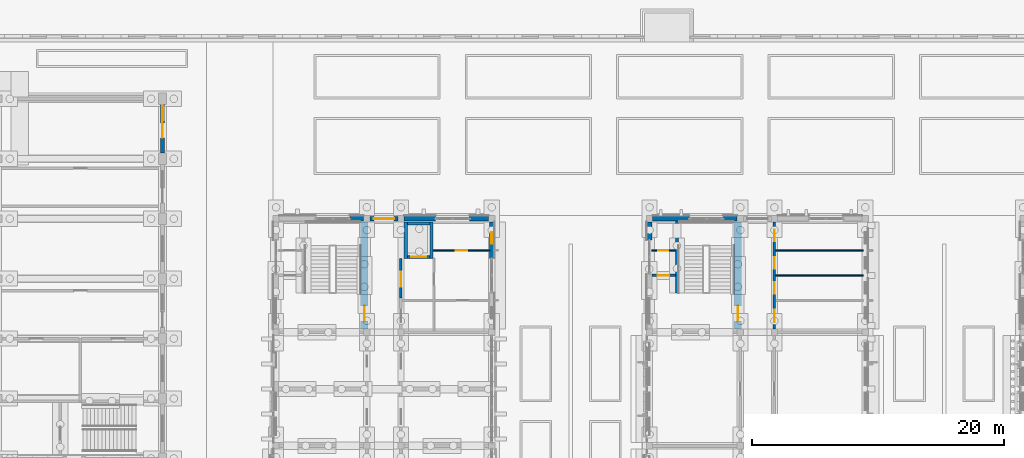
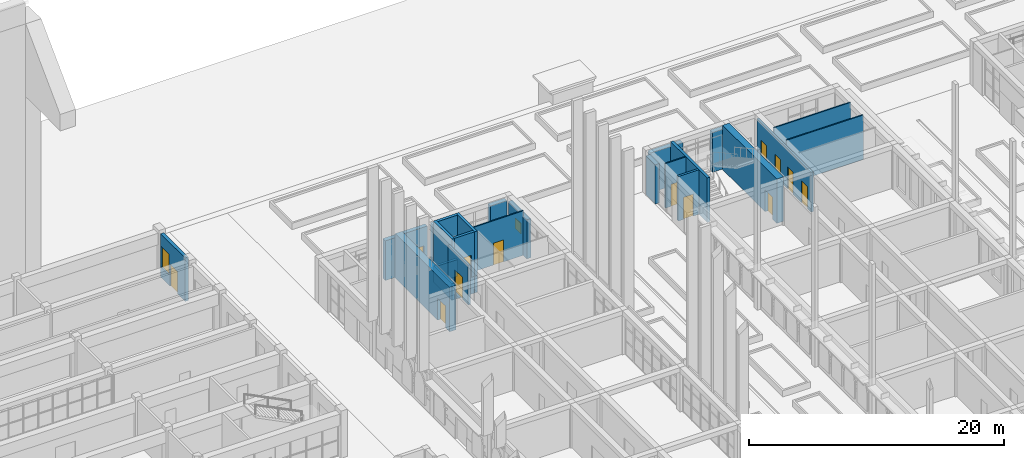
# One storey, part 66 of 161: 27 walls, 13 doors, 2 windows, 15 openings.
"""IFC4 building model written with IfcOpenShell, lengths in metres."""

from ifc_helpers import new_model, si_unit, direction, frame, frame_2d, origin, place, context, subcontext, project, spatial, rectangle, extrude, material, layer, layer_set, type_object, element, fill, save


model = new_model("IFC4")

# Units and contexts
model_context = context("Model", 3, precision=1e-05, world=origin(), true_north=direction((0.0, 1.0)))
body_context = subcontext(model_context, "Body", "Model", "MODEL_VIEW")
ifc_project = project(units=[si_unit("LENGTHUNIT", "METRE"), si_unit("AREAUNIT", "SQUARE_METRE"), si_unit("VOLUMEUNIT", "CUBIC_METRE"), si_unit("PLANEANGLEUNIT", "RADIAN"), si_unit("MASSUNIT", "GRAM", prefix="KILO")], contexts=[model_context])

# Site, building, storey
site_placement = place(None, origin())
site = spatial("IfcSite", under=ifc_project, at=site_placement, CompositionType="ELEMENT")
building_placement = place(site_placement, origin())
building = spatial("IfcBuilding", under=site, at=building_placement, Name="Elbe Cascade School", CompositionType="ELEMENT")
storey_placement = place(building_placement, origin())
storey = spatial("IfcBuildingStorey", under=building, at=storey_placement, Name="L00", CompositionType="ELEMENT", Elevation=0.0)

# Wall, opening, door
ifc_material_1 = material(Name="Masonry - lime-sand block, plastered", Category="masonry")
ifc_layer_1 = layer(ifc_material_1, 0.199951171875)
ifc_layer_set_1 = layer_set([ifc_layer_1], Name="Masonry - lime-sand block, plastered")
wall_type_1 = type_object("IfcWallType", Name="Bar corridor wall lime-sand block 200 EI 30", PredefinedType="PARTITIONING", material=ifc_layer_set_1)
wall_1_placement = place(storey_placement, frame((78.89990234375, 56.85009765625, 0.0), z_axis=(0.0, 0.0, 1.0), x_axis=(0.0, -1.0, 0.0)))
wall_1 = element("IfcWall", 1, at=wall_1_placement, inside=storey, type_object=wall_type_1, Name="Bar corridor wall lime-sand block 200 EI 30", PredefinedType="PARTITIONING", context=body_context, shape_type="SweptSolid", body=[
    extrude(rectangle(XDim=3.150146484375, YDim=0.199951171875, at=frame_2d((1.5751953125, 0.0))), origin(), (0.0, 0.0, 1.0), 3.800048828125),
])
opening_1_placement = place(wall_1_placement, frame((1.050048828125, 0.0, 0.0)))
opening_1 = element("IfcOpeningElement", 2, at=opening_1_placement, cuts=wall_1, Name="Opening D0.029", PredefinedType="OPENING", context=body_context, shape_type="SweptSolid", body=[
    extrude(rectangle(XDim=1.199951171875, YDim=2.10009765625, at=frame_2d((0.60009765625, 1.050048828125))), frame((0.0, 0.10986328125, 0.0), z_axis=(0.0, -1.0, 0.0), x_axis=(1.0, 0.0, 0.0)), (0.0, 0.0, 1.0), 0.219970703125),
])
ifc_material_2 = material(Name="Timber door leaf, fire-resisting and smoke-tight, steel frame", Category="steel")
door_type_1 = type_object("IfcDoorType", Name="Bar door FD30S 1200x2100", OperationType="NOTDEFINED", PredefinedType="DOOR", material=ifc_material_2)
door_1_placement = place(opening_1_placement, origin())
door_1 = element("IfcDoor", 3, at=door_1_placement, inside=storey, type_object=door_type_1, Name="Door A0.15", OperationType="SINGLE_SWING_LEFT", OverallHeight=2.10009765625, OverallWidth=1.199951171875, PredefinedType="DOOR", context=body_context, shape_type="SweptSolid", body=[
    extrude(rectangle(XDim=1.199951171875, YDim=2.10009765625, at=frame_2d((0.60009765625, 1.050048828125))), frame((0.0, 0.02490234375, 0.0), z_axis=(0.0, -1.0, 0.0), x_axis=(1.0, 0.0, 0.0)), (0.0, 0.0, 1.0), 0.050048828125),
])
fill(opening_1, door_1)

# Wall, openings, doors
wall_2_placement = place(storey_placement, frame((108.5, 59.75, 0.0), z_axis=(0.0, 0.0, 1.0), x_axis=(0.0, -1.0, 0.0)))
wall_2 = element("IfcWall", 4, at=wall_2_placement, inside=storey, type_object=wall_type_1, Name="Bar corridor wall lime-sand block 200 EI 30", PredefinedType="PARTITIONING", context=body_context, shape_type="SweptSolid", body=[
    extrude(rectangle(XDim=8.5, YDim=0.199951171875, at=frame_2d((4.25, 0.0))), origin(), (0.0, 0.0, 1.0), 3.800048828125),
])
opening_2_placement = place(wall_2_placement, frame((6.96875, 0.0, 0.0)))
opening_2 = element("IfcOpeningElement", 5, at=opening_2_placement, cuts=wall_2, Name="Opening D0.057", PredefinedType="OPENING", context=body_context, shape_type="SweptSolid", body=[
    extrude(rectangle(XDim=1.0, YDim=2.10009765625, at=frame_2d((0.5, 1.050048828125))), frame((0.0, 0.10986328125, 0.0), z_axis=(0.0, -1.0, 0.0), x_axis=(1.0, 0.0, 0.0)), (0.0, 0.0, 1.0), 0.219970703125),
])
opening_3_placement = place(wall_2_placement, frame((4.7900390625, 0.0, 0.0)))
opening_3 = element("IfcOpeningElement", 6, at=opening_3_placement, cuts=wall_2, Name="Opening D0.060", PredefinedType="OPENING", context=body_context, shape_type="SweptSolid", body=[
    extrude(rectangle(XDim=0.89990234375, YDim=2.10009765625, at=frame_2d((0.449951171875, 1.050048828125))), frame((0.0, 0.10986328125, 0.0), z_axis=(0.0, -1.0, 0.0), x_axis=(1.0, 0.0, 0.0)), (0.0, 0.0, 1.0), 0.219970703125),
])
opening_4_placement = place(wall_2_placement, frame((2.81005859375, 0.0, 0.0)))
opening_4 = element("IfcOpeningElement", 7, at=opening_4_placement, cuts=wall_2, Name="Opening D0.062", PredefinedType="OPENING", context=body_context, shape_type="SweptSolid", body=[
    extrude(rectangle(XDim=0.89990234375, YDim=2.10009765625, at=frame_2d((0.449951171875, 1.050048828125))), frame((0.0, 0.10986328125, 0.0), z_axis=(0.0, -1.0, 0.0), x_axis=(1.0, 0.0, 0.0)), (0.0, 0.0, 1.0), 0.219970703125),
])
opening_5_placement = place(wall_2_placement, frame((0.62109375, 0.0, 0.0)))
opening_5 = element("IfcOpeningElement", 8, at=opening_5_placement, cuts=wall_2, Name="Opening D0.064", PredefinedType="OPENING", context=body_context, shape_type="SweptSolid", body=[
    extrude(rectangle(XDim=0.89990234375, YDim=2.10009765625, at=frame_2d((0.449951171875, 1.050048828125))), frame((0.0, 0.10986328125, 0.0), z_axis=(0.0, -1.0, 0.0), x_axis=(1.0, 0.0, 0.0)), (0.0, 0.0, 1.0), 0.219970703125),
])
ifc_material_3 = material(Name="Timber door leaf, fire-resisting, steel frame", Category="steel")
door_type_2 = type_object("IfcDoorType", Name="Bar door FD30 1000x2100", OperationType="NOTDEFINED", PredefinedType="DOOR", material=ifc_material_3)
door_2_placement = place(opening_2_placement, origin())
door_2 = element("IfcDoor", 9, at=door_2_placement, inside=storey, type_object=door_type_2, Name="Door B0.18", OperationType="SINGLE_SWING_LEFT", OverallHeight=2.10009765625, OverallWidth=1.0, PredefinedType="DOOR", context=body_context, shape_type="SweptSolid", body=[
    extrude(rectangle(XDim=1.0, YDim=2.10009765625, at=frame_2d((0.5, 1.050048828125))), frame((0.0, 0.02490234375, 0.0), z_axis=(0.0, -1.0, 0.0), x_axis=(1.0, 0.0, 0.0)), (0.0, 0.0, 1.0), 0.050048828125),
])
fill(opening_2, door_2)
ifc_material_4 = material(Name="Timber door leaf, fire-resisting, steel frame", Category="steel")
door_type_3 = type_object("IfcDoorType", Name="Bar door FD30 900x2100", OperationType="NOTDEFINED", PredefinedType="DOOR", material=ifc_material_4)
door_3_placement = place(opening_3_placement, origin())
door_3 = element("IfcDoor", 10, at=door_3_placement, inside=storey, type_object=door_type_3, Name="Door B0.17", OperationType="SINGLE_SWING_RIGHT", OverallHeight=2.10009765625, OverallWidth=0.89990234375, PredefinedType="DOOR", context=body_context, shape_type="SweptSolid", body=[
    extrude(rectangle(XDim=0.89990234375, YDim=2.10009765625, at=frame_2d((0.449951171875, 1.050048828125))), frame((0.0, 0.02490234375, 0.0), z_axis=(0.0, -1.0, 0.0), x_axis=(1.0, 0.0, 0.0)), (0.0, 0.0, 1.0), 0.050048828125),
])
fill(opening_3, door_3)
door_4_placement = place(opening_4_placement, origin())
door_4 = element("IfcDoor", 11, at=door_4_placement, inside=storey, type_object=door_type_3, Name="Door B0.16", OperationType="SINGLE_SWING_LEFT", OverallHeight=2.10009765625, OverallWidth=0.89990234375, PredefinedType="DOOR", context=body_context, shape_type="SweptSolid", body=[
    extrude(rectangle(XDim=0.89990234375, YDim=2.10009765625, at=frame_2d((0.449951171875, 1.050048828125))), frame((0.0, 0.02490234375, 0.0), z_axis=(0.0, -1.0, 0.0), x_axis=(1.0, 0.0, 0.0)), (0.0, 0.0, 1.0), 0.050048828125),
])
fill(opening_4, door_4)
door_5_placement = place(opening_5_placement, origin())
door_5 = element("IfcDoor", 12, at=door_5_placement, inside=storey, type_object=door_type_3, Name="Door B0.15", OperationType="SINGLE_SWING_RIGHT", OverallHeight=2.10009765625, OverallWidth=0.89990234375, PredefinedType="DOOR", context=body_context, shape_type="SweptSolid", body=[
    extrude(rectangle(XDim=0.89990234375, YDim=2.10009765625, at=frame_2d((0.449951171875, 1.050048828125))), frame((0.0, 0.02490234375, 0.0), z_axis=(0.0, -1.0, 0.0), x_axis=(1.0, 0.0, 0.0)), (0.0, 0.0, 1.0), 0.050048828125),
])
fill(opening_5, door_5)

# Wall, opening, door
ifc_material_5 = material(Name="Masonry - lime-sand block, plastered", Category="masonry")
ifc_layer_2 = layer(ifc_material_5, 0.114990234375)
ifc_layer_set_2 = layer_set([ifc_layer_2], Name="Masonry - lime-sand block, plastered")
wall_type_2 = type_object("IfcWallType", Name="Bar light partition wall lime-sand block 115", PredefinedType="PARTITIONING", material=ifc_layer_set_2)
wall_3_placement = place(storey_placement, frame((81.449951171875, 57.47998046875, 0.0), z_axis=(0.0, 0.0, 1.0), x_axis=(1.0, 0.0, 0.0)))
wall_3 = element("IfcWall", 13, at=wall_3_placement, inside=storey, type_object=wall_type_2, Name="Bar light partition wall lime-sand block 115", PredefinedType="PARTITIONING", context=body_context, shape_type="SweptSolid", body=[
    extrude(rectangle(XDim=4.5, YDim=0.114990234375, at=frame_2d((2.25, 0.0))), origin(), (0.0, 0.0, 1.0), 4.25),
])
opening_6_placement = place(wall_3_placement, frame((1.800048828125, 0.0, 0.0)))
opening_6 = element("IfcOpeningElement", 14, at=opening_6_placement, cuts=wall_3, Name="Opening D0.034", PredefinedType="OPENING", context=body_context, shape_type="SweptSolid", body=[
    extrude(rectangle(XDim=0.89990234375, YDim=2.10009765625, at=frame_2d((0.449951171875, 1.050048828125))), frame((0.0, 0.0673828125, 0.0), z_axis=(0.0, -1.0, 0.0), x_axis=(1.0, 0.0, 0.0)), (0.0, 0.0, 1.0), 0.135009765625),
])
ifc_material_6 = material(Name="Timber door leaf, steel frame", Category="steel")
door_type_4 = type_object("IfcDoorType", Name="Bar door 900x2100", OperationType="NOTDEFINED", PredefinedType="DOOR", material=ifc_material_6)
door_6_placement = place(opening_6_placement, origin())
door_6 = element("IfcDoor", 15, at=door_6_placement, inside=storey, type_object=door_type_4, Name="Door A0.17", OperationType="SINGLE_SWING_LEFT", OverallHeight=2.10009765625, OverallWidth=0.89990234375, PredefinedType="DOOR", context=body_context, shape_type="SweptSolid", body=[
    extrude(rectangle(XDim=0.89990234375, YDim=2.10009765625, at=frame_2d((0.449951171875, 1.050048828125))), frame((0.0, 0.02490234375, 0.0), z_axis=(0.0, -1.0, 0.0), x_axis=(1.0, 0.0, 0.0)), (0.0, 0.0, 1.0), 0.050048828125),
])
fill(opening_6, door_6)

wall_4_placement = place(storey_placement, frame((98.780029296875, 57.47998046875, 0.0), z_axis=(0.0, 0.0, 1.0), x_axis=(1.0, 0.0, 0.0)))
wall_4 = element("IfcWall", 16, at=wall_4_placement, inside=storey, type_object=wall_type_2, Name="Bar light partition wall lime-sand block 115", PredefinedType="PARTITIONING", context=body_context, shape_type="SweptSolid", body=[
    extrude(rectangle(XDim=1.869873046875, YDim=0.114990234375, at=frame_2d((0.93505859375, 0.0))), origin(), (0.0, 0.0, 1.0), 4.25),
])
opening_7_placement = place(wall_4_placement, frame((0.52001953125, 0.0, 0.0)))
opening_7 = element("IfcOpeningElement", 17, at=opening_7_placement, cuts=wall_4, Name="Opening D0.063", PredefinedType="OPENING", context=body_context, shape_type="SweptSolid", body=[
    extrude(rectangle(XDim=0.800048828125, YDim=2.10009765625, at=frame_2d((0.39990234375, 1.050048828125))), frame((0.0, 0.0673828125, 0.0), z_axis=(0.0, -1.0, 0.0), x_axis=(1.0, 0.0, 0.0)), (0.0, 0.0, 1.0), 0.135009765625),
])
ifc_material_7 = material(Name="Timber door leaf, steel frame", Category="steel")
door_type_5 = type_object("IfcDoorType", Name="Bar door 800x2100", OperationType="NOTDEFINED", PredefinedType="DOOR", material=ifc_material_7)
door_7_placement = place(opening_7_placement, origin())
door_7 = element("IfcDoor", 18, at=door_7_placement, inside=storey, type_object=door_type_5, Name="Door B0.14", OperationType="SINGLE_SWING_LEFT", OverallHeight=2.10009765625, OverallWidth=0.800048828125, PredefinedType="DOOR", context=body_context, shape_type="SweptSolid", body=[
    extrude(rectangle(XDim=0.800048828125, YDim=2.10009765625, at=frame_2d((0.39990234375, 1.050048828125))), frame((0.0, 0.02490234375, 0.0), z_axis=(0.0, -1.0, 0.0), x_axis=(1.0, 0.0, 0.0)), (0.0, 0.0, 1.0), 0.050048828125),
])
fill(opening_7, door_7)

# Walls
for number, where, z_axis, x_axis, name in (
    (19, (108.60009765625, 57.47998046875, 0.0), (0.0, 0.0, 1.0), (1.0, 0.0, 0.0), "Bar light partition wall lime-sand block 115"),
    (20, (108.60009765625, 55.5, 0.0), (0.0, 0.0, 1.0), (1.0, 0.0, 0.0), "Bar light partition wall lime-sand block 115"),
):
    element("IfcWall", number, at=place(storey_placement, frame(where, z_axis=z_axis, x_axis=x_axis)), inside=storey, type_object=wall_type_2, Name=name, PredefinedType="PARTITIONING", context=body_context, shape_type="SweptSolid", body=[
        extrude(rectangle(XDim=6.949951171875, YDim=0.114990234375, at=frame_2d((3.47509765625, 0.0))), origin(), (0.0, 0.0, 1.0), 4.25),
    ])
ifc_material_8 = material(Name="Concrete C30/37", Category="concrete")
ifc_layer_3 = layer(ifc_material_8, 0.25)
ifc_layer_set_3 = layer_set([ifc_layer_3], Name="Concrete C30/37")
wall_type_3 = type_object("IfcWallType", Name="Bar stair core wall RC 250", PredefinedType="SOLIDWALL", material=ifc_layer_set_3)
wall_5_placement = place(storey_placement, frame((100.77490234375, 54.10009765625, 0.0), z_axis=(0.0, 0.0, 1.0), x_axis=(0.0, 1.0, 0.0)))
element("IfcWall", 21, at=wall_5_placement, inside=storey, type_object=wall_type_3, Name="Bar stair core wall RC 250", PredefinedType="SOLIDWALL", context=body_context, shape_type="SweptSolid", body=[
    extrude(rectangle(XDim=5.719970703125, YDim=0.25, at=frame_2d((2.85986328125, 0.0))), origin(), (0.0, 0.0, 1.0), 4.25),
])

# Wall, opening, door
ifc_material_9 = material(Name="Concrete C30/37", Category="concrete")
ifc_layer_4 = layer(ifc_material_9, 0.60009765625)
ifc_layer_set_4 = layer_set([ifc_layer_4], Name="Concrete C30/37")
wall_type_4 = type_object("IfcWallType", Name="Bar stair core wall RC 600", PredefinedType="SOLIDWALL", material=ifc_layer_set_4)
wall_6_placement = place(storey_placement, frame((76.0, 51.25, 0.0), z_axis=(0.0, 0.0, 1.0), x_axis=(0.0, 1.0, 0.0)))
wall_6 = element("IfcWall", 22, at=wall_6_placement, inside=storey, type_object=wall_type_4, Name="Bar stair core wall RC 600", PredefinedType="SOLIDWALL", context=body_context, shape_type="SweptSolid", body=[
    extrude(rectangle(XDim=8.5, YDim=0.60009765625, at=frame_2d((4.25, 0.0))), origin(), (0.0, 0.0, 1.0), 4.25),
])
opening_8_placement = place(wall_6_placement, frame((0.64990234375, 0.0, 0.0)))
opening_8 = element("IfcOpeningElement", 23, at=opening_8_placement, cuts=wall_6, Name="Opening D0.026", PredefinedType="OPENING", context=body_context, shape_type="SweptSolid", body=[
    extrude(rectangle(XDim=1.199951171875, YDim=2.10009765625, at=frame_2d((0.60009765625, 1.050048828125))), frame((0.0, 0.31005859375, 0.0), z_axis=(0.0, -1.0, 0.0), x_axis=(1.0, 0.0, 0.0)), (0.0, 0.0, 1.0), 0.6201171875),
])
door_8_placement = place(opening_8_placement, origin())
door_8 = element("IfcDoor", 24, at=door_8_placement, inside=storey, type_object=door_type_1, Name="Door A0.12", OperationType="SINGLE_SWING_RIGHT", OverallHeight=2.10009765625, OverallWidth=1.199951171875, PredefinedType="DOOR", context=body_context, shape_type="SweptSolid", body=[
    extrude(rectangle(XDim=1.199951171875, YDim=2.10009765625, at=frame_2d((0.60009765625, 1.050048828125))), frame((0.0, 0.02490234375, 0.0), z_axis=(0.0, -1.0, 0.0), x_axis=(1.0, 0.0, 0.0)), (0.0, 0.0, 1.0), 0.050048828125),
])
fill(opening_8, door_8)

wall_7_placement = place(storey_placement, frame((105.60009765625, 51.25, 0.0), z_axis=(0.0, 0.0, 1.0), x_axis=(0.0, 1.0, 0.0)))
wall_7 = element("IfcWall", 25, at=wall_7_placement, inside=storey, type_object=wall_type_4, Name="Bar stair core wall RC 600", PredefinedType="SOLIDWALL", context=body_context, shape_type="SweptSolid", body=[
    extrude(rectangle(XDim=8.5, YDim=0.60009765625, at=frame_2d((4.25, 0.0))), origin(), (0.0, 0.0, 1.0), 4.25),
])
opening_9_placement = place(wall_7_placement, frame((0.64990234375, 0.0, 0.0)))
opening_9 = element("IfcOpeningElement", 26, at=opening_9_placement, cuts=wall_7, Name="Opening D0.058", PredefinedType="OPENING", context=body_context, shape_type="SweptSolid", body=[
    extrude(rectangle(XDim=1.199951171875, YDim=2.10009765625, at=frame_2d((0.60009765625, 1.050048828125))), frame((0.0, 0.31005859375, 0.0), z_axis=(0.0, -1.0, 0.0), x_axis=(1.0, 0.0, 0.0)), (0.0, 0.0, 1.0), 0.6201171875),
])
door_9_placement = place(opening_9_placement, origin())
door_9 = element("IfcDoor", 27, at=door_9_placement, inside=storey, type_object=door_type_1, Name="Door B0.12", OperationType="SINGLE_SWING_RIGHT", OverallHeight=2.10009765625, OverallWidth=1.199951171875, PredefinedType="DOOR", context=body_context, shape_type="SweptSolid", body=[
    extrude(rectangle(XDim=1.199951171875, YDim=2.10009765625, at=frame_2d((0.60009765625, 1.050048828125))), frame((0.0, 0.02490234375, 0.0), z_axis=(0.0, -1.0, 0.0), x_axis=(1.0, 0.0, 0.0)), (0.0, 0.0, 1.0), 0.050048828125),
])
fill(opening_9, door_9)

ifc_material_10 = material(Name="Concrete C30/37", Category="concrete")
ifc_layer_5 = layer(ifc_material_10, 0.199951171875)
ifc_layer_set_5 = layer_set([ifc_layer_5], Name="Concrete C30/37")
wall_type_5 = type_object("IfcWallType", Name="Bar stair lobby wall RC 200", PredefinedType="SOLIDWALL", material=ifc_layer_set_5)
wall_8_placement = place(storey_placement, frame((98.780029296875, 55.5, 0.0), z_axis=(0.0, 0.0, 1.0), x_axis=(1.0, 0.0, 0.0)))
wall_8 = element("IfcWall", 28, at=wall_8_placement, inside=storey, type_object=wall_type_5, Name="Bar stair lobby wall RC 200", PredefinedType="SOLIDWALL", context=body_context, shape_type="SweptSolid", body=[
    extrude(rectangle(XDim=1.869873046875, YDim=0.199951171875, at=frame_2d((0.93505859375, 0.0))), origin(), (0.0, 0.0, 1.0), 4.25),
])
opening_10_placement = place(wall_8_placement, frame((0.469970703125, 0.0, 0.0)))
opening_10 = element("IfcOpeningElement", 29, at=opening_10_placement, cuts=wall_8, Name="Opening D0.061", PredefinedType="OPENING", context=body_context, shape_type="SweptSolid", body=[
    extrude(rectangle(XDim=0.89990234375, YDim=2.10009765625, at=frame_2d((0.449951171875, 1.050048828125))), frame((0.0, 0.10986328125, 0.0), z_axis=(0.0, -1.0, 0.0), x_axis=(1.0, 0.0, 0.0)), (0.0, 0.0, 1.0), 0.219970703125),
])
ifc_material_11 = material(Name="Timber door leaf, fire-resisting and smoke-tight, steel frame", Category="steel")
door_type_6 = type_object("IfcDoorType", Name="Bar door FD30S 900x2100", OperationType="NOTDEFINED", PredefinedType="DOOR", material=ifc_material_11)
door_10_placement = place(opening_10_placement, origin())
door_10 = element("IfcDoor", 30, at=door_10_placement, inside=storey, type_object=door_type_6, Name="Door B0.13", OperationType="SINGLE_SWING_RIGHT", OverallHeight=2.10009765625, OverallWidth=0.89990234375, PredefinedType="DOOR", context=body_context, shape_type="SweptSolid", body=[
    extrude(rectangle(XDim=0.89990234375, YDim=2.10009765625, at=frame_2d((0.449951171875, 1.050048828125))), frame((0.0, 0.02490234375, 0.0), z_axis=(0.0, -1.0, 0.0), x_axis=(1.0, 0.0, 0.0)), (0.0, 0.0, 1.0), 0.050048828125),
])
fill(opening_10, door_10)

# Wall, opening, window
ifc_material_12 = material(Name="Brick masonry - red clinker, cavity wall with render backing", Category="masonry")
ifc_layer_6 = layer(ifc_material_12, 0.360107421875)
ifc_layer_set_6 = layer_set([ifc_layer_6], Name="Brick masonry - red clinker, cavity wall with render backing")
wall_type_6 = type_object("IfcWallType", Name="Bars envelope External wall - clinker brick cavity, 360 ground floor", PredefinedType="STANDARD", material=ifc_layer_set_6)
wall_9_placement = place(storey_placement, frame((86.10009765625, 59.75, 0.0), z_axis=(0.0, 0.0, 1.0), x_axis=(0.0, -1.0, 0.0)))
wall_9 = element("IfcWall", 31, at=wall_9_placement, inside=storey, type_object=wall_type_6, Name="External wall W29 A.L00.e6b", PredefinedType="STANDARD", context=body_context, shape_type="SweptSolid", body=[
    extrude(rectangle(XDim=2.89990234375, YDim=0.360107421875, at=frame_2d((1.449951171875, 0.0))), origin(), (0.0, 0.0, 1.0), 3.75),
])
opening_11_placement = place(wall_9_placement, frame((0.830078125, 0.0, 1.60009765625)))
opening_11 = element("IfcOpeningElement", 32, at=opening_11_placement, cuts=wall_9, Name="Opening W0.014", PredefinedType="OPENING", context=body_context, shape_type="SweptSolid", body=[
    extrude(rectangle(XDim=0.89990234375, YDim=1.0, at=frame_2d((0.449951171875, 0.5))), frame((0.0, 0.18994140625, 0.0), z_axis=(0.0, -1.0, 0.0), x_axis=(1.0, 0.0, 0.0)), (0.0, 0.0, 1.0), 0.380126953125),
])
ifc_material_13 = material(Name="Aluminium frame with double glazing, bronze anodised", Category="aluminium")
window_type_1 = type_object("IfcWindowType", Name="Bars envelope Window 900 x 1000, WC and service room, high level, aluminium double glazed", PartitioningType="SINGLE_PANEL", PredefinedType="WINDOW", material=ifc_material_13)
window_1_placement = place(opening_11_placement, origin())
window_1 = element("IfcWindow", 33, at=window_1_placement, inside=storey, type_object=window_type_1, Name="Window WN4 A.L00.e6b.1", OverallHeight=1.0, OverallWidth=0.89990234375, PartitioningType="SINGLE_PANEL", PredefinedType="WINDOW", context=body_context, shape_type="SweptSolid", body=[
    extrude(rectangle(XDim=0.89990234375, YDim=1.0, at=frame_2d((0.449951171875, 0.5))), frame((0.0, 0.030029296875, 0.0), z_axis=(0.0, -1.0, 0.0), x_axis=(1.0, 0.0, 0.0)), (0.0, 0.0, 1.0), 0.06005859375),
])
fill(opening_11, window_1)

# Wall, opening, door
wall_10_placement = place(storey_placement, frame((76.449951171875, 60.0, 0.0), z_axis=(0.0, 0.0, 1.0), x_axis=(1.0, 0.0, 0.0)))
wall_10 = element("IfcWall", 34, at=wall_10_placement, inside=storey, type_object=wall_type_6, Name="External wall W29 A.L00.n2", PredefinedType="STANDARD", context=body_context, shape_type="SweptSolid", body=[
    extrude(rectangle(XDim=2.199951171875, YDim=0.360107421875, at=frame_2d((1.10009765625, 0.0))), origin(), (0.0, 0.0, 1.0), 3.89990234375),
])
opening_12_placement = place(wall_10_placement, frame((0.300048828125, 0.0, 0.0)))
opening_12 = element("IfcOpeningElement", 35, at=opening_12_placement, cuts=wall_10, Name="Opening D0.035", PredefinedType="OPENING", context=body_context, shape_type="SweptSolid", body=[
    extrude(rectangle(XDim=1.60009765625, YDim=2.10009765625, at=frame_2d((0.800048828125, 1.050048828125))), frame((0.0, 0.18994140625, 0.0), z_axis=(0.0, -1.0, 0.0), x_axis=(1.0, 0.0, 0.0)), (0.0, 0.0, 1.0), 0.380126953125),
])
ifc_material_14 = material(Name="Steel door set, fire resisting", Category="steel")
door_type_7 = type_object("IfcDoorType", Name="Bars envelope Fire exit door, double leaf, 1600 x 2100, fire resisting", OperationType="DOUBLE_DOOR_SINGLE_SWING", PredefinedType="DOOR", material=ifc_material_14)
door_11_placement = place(opening_12_placement, origin())
door_11 = element("IfcDoor", 36, at=door_11_placement, inside=storey, type_object=door_type_7, Name="Fire exit door D16 A.L00.n2", OperationType="DOUBLE_DOOR_SINGLE_SWING", OverallHeight=2.10009765625, OverallWidth=1.60009765625, PredefinedType="DOOR", context=body_context, shape_type="SweptSolid", body=[
    extrude(rectangle(XDim=1.60009765625, YDim=2.10009765625, at=frame_2d((0.800048828125, 1.050048828125))), frame((0.0, 0.02490234375, 0.0), z_axis=(0.0, -1.0, 0.0), x_axis=(1.0, 0.0, 0.0)), (0.0, 0.0, 1.0), 0.050048828125),
])
fill(opening_12, door_11)

# Walls
ifc_material_15 = material(Name="Brick masonry - red clinker, solid, sandstone-faced", Category="masonry")
ifc_layer_7 = layer(ifc_material_15, 0.39990234375)
ifc_layer_set_7 = layer_set([ifc_layer_7], Name="Brick masonry - red clinker, solid, sandstone-faced")
wall_type_7 = type_object("IfcWallType", Name="Bars envelope External wall - solid masonry core strip, sandstone faced, 400", PredefinedType="STANDARD", material=ifc_layer_set_7)
wall_11_placement = place(storey_placement, frame((74.85009765625, 60.02001953125, 0.0), z_axis=(0.0, 0.0, 1.0), x_axis=(1.0, 0.0, 0.0)))
element("IfcWall", 37, at=wall_11_placement, inside=storey, type_object=wall_type_7, Name="External wall W31 A.L00.n1b", PredefinedType="STANDARD", context=body_context, shape_type="SweptSolid", body=[
    extrude(rectangle(XDim=1.099853515625, YDim=0.39990234375, at=frame_2d((0.5498046875, 0.0))), origin(), (0.0, 0.0, 1.0), 3.800048828125),
])
wall_12_placement = place(storey_placement, frame((79.14990234375, 60.02001953125, 0.0), z_axis=(0.0, 0.0, 1.0), x_axis=(1.0, 0.0, 0.0)))
element("IfcWall", 38, at=wall_12_placement, inside=storey, type_object=wall_type_7, Name="External wall W31 A.L00.n3a", PredefinedType="STANDARD", context=body_context, shape_type="SweptSolid", body=[
    extrude(rectangle(XDim=2.5, YDim=0.39990234375, at=frame_2d((1.25, 0.0))), origin(), (0.0, 0.0, 1.0), 3.800048828125),
])
wall_13_placement = place(storey_placement, frame((84.35009765625, 60.02001953125, 0.0), z_axis=(0.0, 0.0, 1.0), x_axis=(1.0, 0.0, 0.0)))
element("IfcWall", 39, at=wall_13_placement, inside=storey, type_object=wall_type_7, Name="External wall W31 A.L00.n3b", PredefinedType="STANDARD", context=body_context, shape_type="SweptSolid", body=[
    extrude(rectangle(XDim=1.5, YDim=0.39990234375, at=frame_2d((0.75, 0.0))), origin(), (0.0, 0.0, 1.0), 3.800048828125),
])
wall_14_placement = place(storey_placement, frame((98.580078125, 58.31005859375, 0.0), z_axis=(0.0, 0.0, 1.0), x_axis=(0.0, 1.0, 0.0)))
element("IfcWall", 40, at=wall_14_placement, inside=storey, type_object=wall_type_7, Name="External wall W31 B.L00.w6b", PredefinedType="STANDARD", context=body_context, shape_type="SweptSolid", body=[
    extrude(rectangle(XDim=1.43994140625, YDim=0.39990234375, at=frame_2d((0.719970703125, 0.0))), origin(), (0.0, 0.0, 1.0), 3.75),
])
wall_15_placement = place(storey_placement, frame((98.85009765625, 60.02001953125, 0.0), z_axis=(0.0, 0.0, 1.0), x_axis=(1.0, 0.0, 0.0)))
element("IfcWall", 41, at=wall_15_placement, inside=storey, type_object=wall_type_7, Name="External wall W31 B.L00.n1a", PredefinedType="STANDARD", context=body_context, shape_type="SweptSolid", body=[
    extrude(rectangle(XDim=2.89990234375, YDim=0.39990234375, at=frame_2d((1.449951171875, 0.0))), origin(), (0.0, 0.0, 1.0), 3.800048828125),
])
wall_16_placement = place(storey_placement, frame((104.449951171875, 60.02001953125, 0.0), z_axis=(0.0, 0.0, 1.0), x_axis=(1.0, 0.0, 0.0)))
element("IfcWall", 42, at=wall_16_placement, inside=storey, type_object=wall_type_7, Name="External wall W31 B.L00.n1b", PredefinedType="STANDARD", context=body_context, shape_type="SweptSolid", body=[
    extrude(rectangle(XDim=1.10009765625, YDim=0.39990234375, at=frame_2d((0.550048828125, 0.0))), origin(), (0.0, 0.0, 1.0), 3.800048828125),
])

# Wall, openings, window, door
ifc_material_16 = material(Name="Concrete C30/37 wall", Category="concrete")
ifc_layer_8 = layer(ifc_material_16, 0.300048828125)
ifc_layer_set_8 = layer_set([ifc_layer_8], Name="Concrete C30/37 wall")
wall_type_8 = type_object("IfcWallType", Name="Hall wall Concrete C30/37 300", PredefinedType="SOLIDWALL", material=ifc_layer_set_8)
wall_17_placement = place(storey_placement, frame((60.0, 65.199951171875, 0.0), z_axis=(0.0, 0.0, 1.0), x_axis=(0.0, 1.0, 0.0)))
wall_17 = element("IfcWall", 43, at=wall_17_placement, inside=storey, type_object=wall_type_8, Name="Hall wall E6", PredefinedType="SOLIDWALL", context=body_context, shape_type="SweptSolid", body=[
    extrude(rectangle(XDim=3.85009765625, YDim=0.300048828125, at=frame_2d((1.925048828125, 0.0))), origin(), (0.0, 0.0, 1.0), 4.14990234375),
])
opening_13_placement = place(wall_17_placement, frame((2.550048828125, 0.0, 1.0)))
opening_13 = element("IfcOpeningElement", 44, at=opening_13_placement, cuts=wall_17, Name="Opening W0.136", PredefinedType="OPENING", context=body_context, shape_type="SweptSolid", body=[
    extrude(rectangle(XDim=1.199951171875, YDim=2.0, at=frame_2d((0.60009765625, 1.0))), frame((0.0, 0.159912109375, 0.0), z_axis=(0.0, -1.0, 0.0), x_axis=(1.0, 0.0, 0.0)), (0.0, 0.0, 1.0), 0.320068359375),
])
opening_14_placement = place(wall_17_placement, frame((1.199951171875, 0.0, 0.0)))
opening_14 = element("IfcOpeningElement", 45, at=opening_14_placement, cuts=wall_17, Name="Opening D0.152", PredefinedType="OPENING", context=body_context, shape_type="SweptSolid", body=[
    extrude(rectangle(XDim=1.199951171875, YDim=2.10009765625, at=frame_2d((0.60009765625, 1.050048828125))), frame((0.0, 0.159912109375, 0.0), z_axis=(0.0, -1.0, 0.0), x_axis=(1.0, 0.0, 0.0)), (0.0, 0.0, 1.0), 0.320068359375),
])
ifc_material_17 = material(Name="Glass - double glazed low-E", Category="glass")
window_type_2 = type_object("IfcWindowType", Name="Hall base window 1200x2000", PartitioningType="SINGLE_PANEL", PredefinedType="WINDOW", material=ifc_material_17)
window_2_placement = place(opening_13_placement, origin())
window_2 = element("IfcWindow", 46, at=window_2_placement, inside=storey, type_object=window_type_2, Name="Window E6", OverallHeight=2.0, OverallWidth=1.199951171875, PartitioningType="SINGLE_PANEL", PredefinedType="WINDOW", context=body_context, shape_type="SweptSolid", body=[
    extrude(rectangle(XDim=1.199951171875, YDim=2.0, at=frame_2d((0.60009765625, 1.0))), frame((0.0, 0.030029296875, 0.0), z_axis=(0.0, -1.0, 0.0), x_axis=(1.0, 0.0, 0.0)), (0.0, 0.0, 1.0), 0.06005859375),
])
fill(opening_13, window_2)
ifc_material_18 = material(Name="Aluminium - powder coated frame, glazed leaf", Category="aluminium")
door_type_8 = type_object("IfcDoorType", Name="Hall exterior door 1200", OperationType="SINGLE_SWING_LEFT", PredefinedType="DOOR", material=ifc_material_18)
door_12_placement = place(opening_14_placement, frame((1.199951171875, 0.0, 0.0), z_axis=(0.0, 0.0, 1.0), x_axis=(-1.0, 0.0, 0.0)))
door_12 = element("IfcDoor", 47, at=door_12_placement, inside=storey, type_object=door_type_8, Name="Service door", OperationType="SINGLE_SWING_LEFT", OverallHeight=2.10009765625, OverallWidth=1.199951171875, PredefinedType="DOOR", context=body_context, shape_type="SweptSolid", body=[
    extrude(rectangle(XDim=1.199951171875, YDim=2.10009765625, at=frame_2d((0.60009765625, 1.050048828125))), frame((0.0, 0.02490234375, 0.0), z_axis=(0.0, -1.0, 0.0), x_axis=(1.0, 0.0, 0.0)), (0.0, 0.0, 1.0), 0.050048828125),
])
fill(opening_14, door_12)

# Walls
ifc_material_19 = material(Name="Concrete C30/37", Category="concrete")
ifc_layer_9 = layer(ifc_material_19, 0.25)
ifc_layer_set_9 = layer_set([ifc_layer_9], Name="Concrete C30/37")
wall_type_9 = type_object("IfcWallType", Name="Shaft wall 250", PredefinedType="SHEAR", material=ifc_layer_set_9)
for number, where, z_axis, x_axis, name in (
    (48, (79.27490234375, 56.85009765625, 0.0), (0.0, 0.0, 1.0), (0.0, 1.0, 0.0), "Shaft wall 250 W1"),
    (49, (81.324951171875, 56.85009765625, 0.0), (0.0, 0.0, 1.0), (0.0, 1.0, 0.0), "Shaft wall 250 W1"),
):
    element("IfcWall", number, at=place(storey_placement, frame(where, z_axis=z_axis, x_axis=x_axis)), inside=storey, type_object=wall_type_9, Name=name, PredefinedType="SHEAR", context=body_context, shape_type="SweptSolid", body=[
        extrude(rectangle(XDim=2.89990234375, YDim=0.25, at=frame_2d((1.449951171875, 0.0))), origin(), (0.0, 0.0, 1.0), 4.25),
    ])

# Wall, opening, door
wall_18_placement = place(storey_placement, frame((79.39990234375, 56.97509765625, 0.0), z_axis=(0.0, 0.0, 1.0), x_axis=(1.0, 0.0, 0.0)))
wall_18 = element("IfcWall", 50, at=wall_18_placement, inside=storey, type_object=wall_type_9, Name="Shaft wall 250 W1", PredefinedType="SHEAR", context=body_context, shape_type="SweptSolid", body=[
    extrude(rectangle(XDim=1.800048828125, YDim=0.25, at=frame_2d((0.89990234375, 0.0))), origin(), (0.0, 0.0, 1.0), 4.25),
])
opening_15_placement = place(wall_18_placement, frame((0.300048828125, 0.0, 0.0)))
opening_15 = element("IfcOpeningElement", 51, at=opening_15_placement, cuts=wall_18, Name="Opening D0.032", PredefinedType="OPENING", context=body_context, shape_type="SweptSolid", body=[
    extrude(rectangle(XDim=1.199951171875, YDim=2.10009765625, at=frame_2d((0.60009765625, 1.050048828125))), frame((0.0, 0.135009765625, 0.0), z_axis=(0.0, -1.0, 0.0), x_axis=(1.0, 0.0, 0.0)), (0.0, 0.0, 1.0), 0.27001953125),
])
ifc_material_20 = material(Name="Stainless steel sliding door leaf", Category="steel")
door_type_9 = type_object("IfcDoorType", Name="Bar lift landing door 1200x2100", OperationType="SLIDING_TO_LEFT", PredefinedType="DOOR", material=ifc_material_20)
door_13_placement = place(opening_15_placement, origin())
door_13 = element("IfcDoor", 52, at=door_13_placement, inside=storey, type_object=door_type_9, Name="Lift landing door LDA0.2", OperationType="SLIDING_TO_LEFT", OverallHeight=2.10009765625, OverallWidth=1.199951171875, PredefinedType="DOOR", context=body_context, shape_type="SweptSolid", body=[
    extrude(rectangle(XDim=1.199951171875, YDim=2.10009765625, at=frame_2d((0.60009765625, 1.050048828125))), frame((0.0, 0.02490234375, 0.0), z_axis=(0.0, -1.0, 0.0), x_axis=(1.0, 0.0, 0.0)), (0.0, 0.0, 1.0), 0.050048828125),
])
fill(opening_15, door_13)

# Walls
wall_19_placement = place(storey_placement, frame((79.39990234375, 59.625, 0.0), z_axis=(0.0, 0.0, 1.0), x_axis=(1.0, 0.0, 0.0)))
element("IfcWall", 53, at=wall_19_placement, inside=storey, type_object=wall_type_9, Name="Shaft wall 250 W1", PredefinedType="SHEAR", context=body_context, shape_type="SweptSolid", body=[
    extrude(rectangle(XDim=1.800048828125, YDim=0.25, at=frame_2d((0.89990234375, 0.0))), origin(), (0.0, 0.0, 1.0), 4.25),
])
for number, where, z_axis, x_axis, name in (
    (54, (79.27490234375, 56.85009765625, -1.60009765625), (0.0, 0.0, 1.0), (0.0, 1.0, 0.0), "Shaft wall 250 W1"),
    (55, (81.324951171875, 56.85009765625, -1.60009765625), (0.0, 0.0, 1.0), (0.0, 1.0, 0.0), "Shaft wall 250 W1"),
):
    element("IfcWall", number, at=place(storey_placement, frame(where, z_axis=z_axis, x_axis=x_axis)), inside=storey, type_object=wall_type_9, Name=name, PredefinedType="SHEAR", context=body_context, shape_type="SweptSolid", body=[
        extrude(rectangle(XDim=2.89990234375, YDim=0.25, at=frame_2d((1.449951171875, 0.0))), origin(), (0.0, 0.0, 1.0), 1.60009765625),
    ])
for number, where, z_axis, x_axis, name in (
    (56, (79.39990234375, 56.97509765625, -1.60009765625), (0.0, 0.0, 1.0), (1.0, 0.0, 0.0), "Shaft wall 250 W1"),
    (57, (79.39990234375, 59.625, -1.60009765625), (0.0, 0.0, 1.0), (1.0, 0.0, 0.0), "Shaft wall 250 W1"),
):
    element("IfcWall", number, at=place(storey_placement, frame(where, z_axis=z_axis, x_axis=x_axis)), inside=storey, type_object=wall_type_9, Name=name, PredefinedType="SHEAR", context=body_context, shape_type="SweptSolid", body=[
        extrude(rectangle(XDim=1.800048828125, YDim=0.25, at=frame_2d((0.89990234375, 0.0))), origin(), (0.0, 0.0, 1.0), 1.60009765625),
    ])

save(model, "model.ifc")
